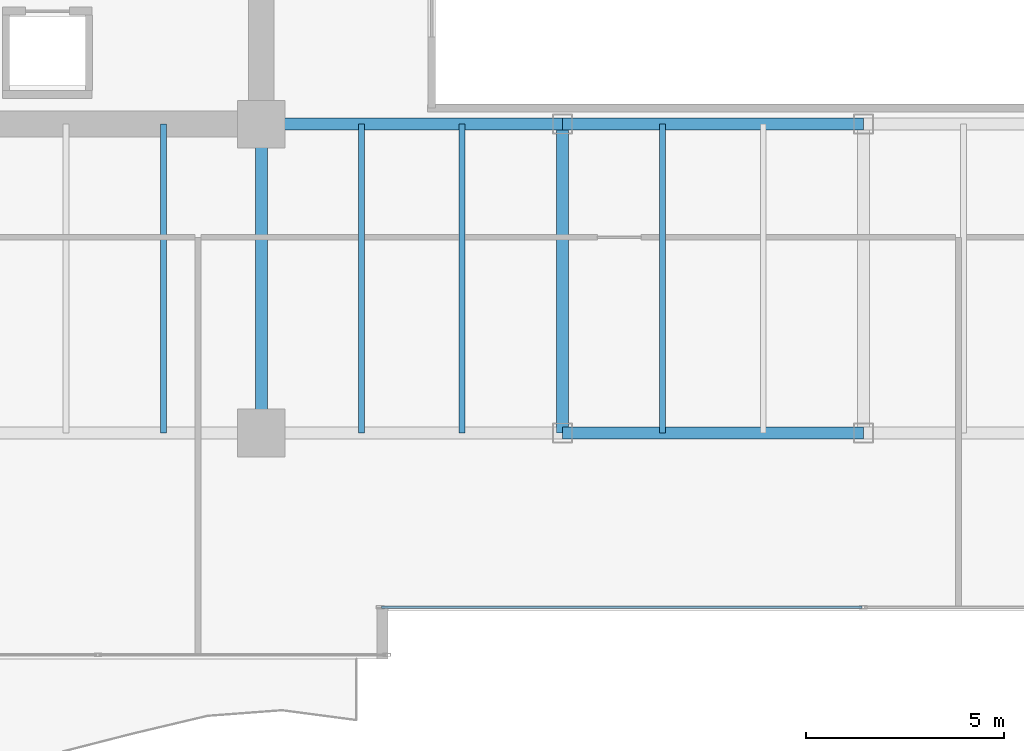
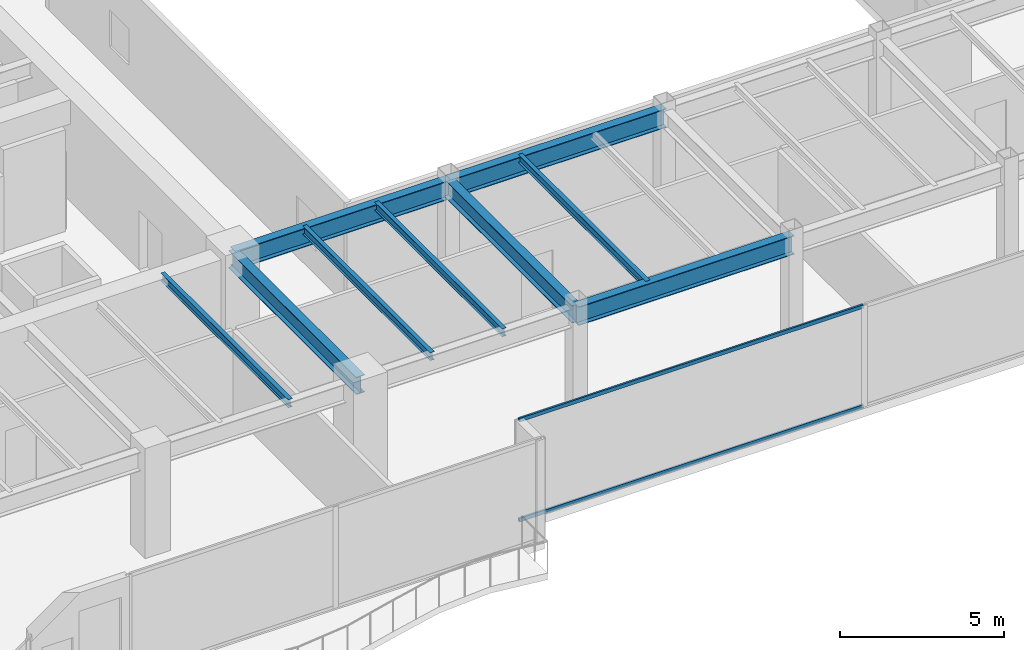
# One storey, part 5 of 30: 9 beams, 2 members, 1 element without a shape of its own.
"""IFC4 building model written with IfcOpenShell, lengths in metres."""

import ifcopenshell
import ifcopenshell.guid

model = None  # the IFC model being written
_history = None  # IfcOwnerHistory: only IFC2X3 demands one
_inside = {}  # id of a spatial element -> (the spatial element, [elements in it])
_under = {}  # id of a project, library or spatial element -> (it, [spatial elements below it])
_declared = {}  # id of a project -> (the project, [libraries it declares])
_typed = {}  # id of a type object -> (the type object, [elements of that type])
_made_of = {}  # id of a material, layer set ... -> (it, [elements and type objects made of it])


def new_model(schema):
    """Start an empty IFC model of exactly this schema.

    Asked for "IFC4X3", IfcOpenShell would pick the latest addendum, in which some entities
    have other attributes; the version numbers below select the first issue.
    IFC2X3 requires an IfcOwnerHistory on every rooted entity: one is made here for all.
    """
    global model, _history
    if schema == "IFC4X3":
        model = ifcopenshell.file(schema_version=(4, 3, 0, 0))
    else:
        model = ifcopenshell.file(schema=schema)
    _inside.clear()
    _under.clear()
    _declared.clear()
    _typed.clear()
    _made_of.clear()
    _history = None
    if model.schema == "IFC2X3":
        org = make("IfcOrganization", Name="unknown")
        user = make(
            "IfcPersonAndOrganization",
            ThePerson=make("IfcPerson", FamilyName="unknown"),
            TheOrganization=org,
        )
        app = make(
            "IfcApplication",
            ApplicationDeveloper=org,
            Version="unknown",
            ApplicationFullName="unknown",
            ApplicationIdentifier="unknown",
        )
        _history = make(
            "IfcOwnerHistory",
            OwningUser=user,
            OwningApplication=app,
            ChangeAction="ADDED",
            CreationDate=0,
        )
    return model


def make(cls, **values):
    """One entity of the class cls with the attributes given. An attribute that is None is left unset."""
    return model.create_entity(
        cls, **{name: value for name, value in values.items() if value is not None}
    )


def rooted(cls, **values):
    """An entity with a GlobalId (a new one), such as an element, a storey or a relation."""
    return make(cls, GlobalId=ifcopenshell.guid.new(), OwnerHistory=_history, **values)


def si_unit(unit_type, name, prefix=None):
    """IfcSIUnit, for example si_unit("LENGTHUNIT", "METRE", prefix="MILLI")."""
    return make("IfcSIUnit", UnitType=unit_type, Prefix=prefix, Name=name)


def assignment(units):
    """IfcUnitAssignment: the units of a project."""
    return None if units is None else make("IfcUnitAssignment", Units=units)


def point(xyz):
    """IfcCartesianPoint."""
    return None if xyz is None else make("IfcCartesianPoint", Coordinates=xyz)


def direction(xyz):
    """IfcDirection."""
    return None if xyz is None else make("IfcDirection", DirectionRatios=xyz)


def frame(location, z_axis=None, x_axis=None):
    """IfcAxis2Placement3D, a coordinate frame: its origin and axes. An axis left out is left unset."""
    return make(
        "IfcAxis2Placement3D",
        Location=point(location),
        Axis=direction(z_axis),
        RefDirection=direction(x_axis),
    )


def frame_2d(location, x_axis=None):
    """IfcAxis2Placement2D, a coordinate frame in the plane: its origin and x axis."""
    return make(
        "IfcAxis2Placement2D", Location=point(location), RefDirection=direction(x_axis)
    )


def origin():
    """The frame at (0, 0, 0) with its axes left unset."""
    return frame((0.0, 0.0, 0.0))


def origin_2d():
    """The frame at (0, 0) in the plane with its x axis left unset."""
    return frame_2d((0.0, 0.0))


def place(relative_to, where):
    """IfcLocalPlacement: puts the frame where relative to a parent placement (None: the world)."""
    return make(
        "IfcLocalPlacement", PlacementRelTo=relative_to, RelativePlacement=where
    )


def context(
    kind, dimensions, precision=None, world=None, true_north=None, identifier=None
):
    """IfcGeometricRepresentationContext, for example the 3D "Model" context."""
    return make(
        "IfcGeometricRepresentationContext",
        ContextIdentifier=identifier,
        ContextType=kind,
        CoordinateSpaceDimension=dimensions,
        Precision=precision,
        WorldCoordinateSystem=world,
        TrueNorth=true_north,
    )


def subcontext(parent, identifier, kind, view, scale=None):
    """IfcGeometricRepresentationSubContext, for example "Body" below "Model"."""
    return make(
        "IfcGeometricRepresentationSubContext",
        ContextIdentifier=identifier,
        ContextType=kind,
        ParentContext=parent,
        TargetScale=scale,
        TargetView=view,
    )


def project(units=None, contexts=None):
    """IfcProject with its units and contexts."""
    return rooted(
        "IfcProject",
        Name="project",
        RepresentationContexts=contexts,
        UnitsInContext=assignment(units),
    )


def spatial(cls, under=None, at=None, **own):
    """A site, building, storey or space (cls), placed at a placement, below another one or the project."""
    s = rooted(cls, ObjectPlacement=at, **own)
    if under is not None:
        _under.setdefault(under.id(), (under, []))[1].append(s)
    return s


def profile(cls, at=None, kind="AREA", **sizes):
    """A parametric profile (cls). Its sizes go by their IFC names, for example OverallWidth=200.0."""
    return make(cls, ProfileType=kind, Position=at, **sizes)


def hollow_rectangle(**sizes):
    """IfcRectangleHollowProfileDef."""
    return profile("IfcRectangleHollowProfileDef", **sizes)


def i_section(**sizes):
    """IfcIShapeProfileDef."""
    return profile("IfcIShapeProfileDef", **sizes)


def extrude(swept, where, along, depth):
    """IfcExtrudedAreaSolid: the profile swept, set in the frame where, extruded along a direction by depth."""
    return make(
        "IfcExtrudedAreaSolid",
        SweptArea=swept,
        Position=where,
        ExtrudedDirection=direction(along),
        Depth=depth,
    )


def shape(context_of_items, identifier, shape_type, items):
    """IfcShapeRepresentation: the items that make up one representation, for example the "Body"."""
    return make(
        "IfcShapeRepresentation",
        ContextOfItems=context_of_items,
        RepresentationIdentifier=identifier,
        RepresentationType=shape_type,
        Items=items,
    )


def source(mapping_origin, context_of_items, identifier, shape_type, items):
    """IfcRepresentationMap: a shape defined once, which mapped items show again and again."""
    return make(
        "IfcRepresentationMap",
        MappingOrigin=mapping_origin,
        MappedRepresentation=shape(context_of_items, identifier, shape_type, items),
    )


def transform(
    local_origin,
    x_axis=None,
    y_axis=None,
    z_axis=None,
    scale=None,
    scale2=None,
    scale3=None,
    uniform=True,
):
    """IfcCartesianTransformationOperator3D, or its non-uniform kind. x_axis, y_axis, z_axis: its Axis1, 2, 3."""
    if uniform:
        return make(
            "IfcCartesianTransformationOperator3D",
            Axis1=direction(x_axis),
            Axis2=direction(y_axis),
            LocalOrigin=point(local_origin),
            Scale=scale,
            Axis3=direction(z_axis),
        )
    return make(
        "IfcCartesianTransformationOperator3DnonUniform",
        Axis1=direction(x_axis),
        Axis2=direction(y_axis),
        LocalOrigin=point(local_origin),
        Scale=scale,
        Axis3=direction(z_axis),
        Scale2=scale2,
        Scale3=scale3,
    )


def mapped(mapping_source, mapping_target):
    """IfcMappedItem: shows the shape of a source again, moved by a transform."""
    return make(
        "IfcMappedItem", MappingSource=mapping_source, MappingTarget=mapping_target
    )


def material(Name=None, Category=None):
    """IfcMaterial."""
    return make("IfcMaterial", Name=Name, Category=Category)


def layer(
    of_material, thickness, ventilated=None, Name=None, Category=None, Priority=None
):
    """IfcMaterialLayer: one layer of a wall or slab, of a material (None: an air gap)."""
    return make(
        "IfcMaterialLayer",
        Material=of_material,
        LayerThickness=thickness,
        IsVentilated=ventilated,
        Name=Name,
        Category=Category,
        Priority=Priority,
    )


def layer_set(layers, Name=None):
    """IfcMaterialLayerSet."""
    return make("IfcMaterialLayerSet", MaterialLayers=layers, LayerSetName=Name)


def material_profile(
    of_material, cross_section, Name=None, Category=None, Priority=None
):
    """IfcMaterialProfile: a cross section and its material."""
    return make(
        "IfcMaterialProfile",
        Name=Name,
        Material=of_material,
        Profile=cross_section,
        Priority=Priority,
        Category=Category,
    )


def profile_set(profiles, Name=None, composite=None):
    """IfcMaterialProfileSet."""
    return make(
        "IfcMaterialProfileSet",
        Name=Name,
        MaterialProfiles=profiles,
        CompositeProfile=composite,
    )


def made_of(thing, what):
    """Note that an element or type object is made of a material, layer set ...; save() writes the relation."""
    if what is not None:
        _made_of.setdefault(what.id(), (what, []))[1].append(thing)
    return thing


def type_object(cls, material=None, **own):
    """A type object (cls), such as IfcWallType, which elements share."""
    return made_of(rooted(cls, **own), material)


def type_shapes(of_type, sources):
    """Give a type object the sources (RepresentationMaps) that its elements show as mapped items."""
    of_type.RepresentationMaps = sources


def element(
    cls,
    number,
    at=None,
    inside=None,
    cuts=None,
    type_object=None,
    material=None,
    context=None,
    identifier="Body",
    shape_type=None,
    held_by="IfcProductDefinitionShape",
    body=None,
    shapes=None,
    **own,
):
    """One element of the class cls, such as IfcWall. Its Tag is "e" and its number.

    at: its placement. inside: the storey or other place that contains it. cuts: it is an
    opening in that element (IfcRelVoidsElement). A single representation is given by context,
    identifier, shape_type and body (its items); several are given by shapes. held_by: the class
    of the entity that holds the representations. save() writes the other relations.
    """
    e = rooted(cls, Tag="e%d" % number, ObjectPlacement=at, **own)
    if body is not None:
        shapes = [shape(context, identifier, shape_type, body)]
    if shapes is not None:
        e.Representation = make(held_by, Representations=shapes)
    if inside is not None:
        _inside.setdefault(inside.id(), (inside, []))[1].append(e)
    if cuts is not None:
        rooted(
            "IfcRelVoidsElement", RelatingBuildingElement=cuts, RelatedOpeningElement=e
        )
    if type_object is not None:
        _typed.setdefault(type_object.id(), (type_object, []))[1].append(e)
    return made_of(e, material)


def aggregate(whole, parts):
    """IfcRelAggregates: a whole, such as a stair, and the parts it consists of."""
    return rooted("IfcRelAggregates", RelatingObject=whole, RelatedObjects=parts)


def save(model, path):
    """Write the relations noted so far, then the file.

    IfcRelAggregates (storeys below a building ...), IfcRelContainedInSpatialStructure (elements
    in a storey), IfcRelDefinesByType, IfcRelAssociatesMaterial and IfcRelDeclares: one each for
    every whole, place, type object, material and project.
    """
    for whole, parts in _under.values():
        aggregate(whole, parts)
    for where, things in _inside.values():
        rooted(
            "IfcRelContainedInSpatialStructure",
            RelatedElements=things,
            RelatingStructure=where,
        )
    for kind, things in _typed.values():
        rooted("IfcRelDefinesByType", RelatedObjects=things, RelatingType=kind)
    for what, things in _made_of.values():
        rooted("IfcRelAssociatesMaterial", RelatedObjects=things, RelatingMaterial=what)
    for by, libraries in _declared.values():
        rooted("IfcRelDeclares", RelatingContext=by, RelatedDefinitions=libraries)
    model.write(path)


model = new_model("IFC4")

# Units and contexts
model_context = context("Model", 3, precision=1e-05, world=origin(), true_north=direction((0.0, 1.0)))
body_context = subcontext(model_context, "Body", "Model", "MODEL_VIEW")
ifc_project = project(units=[si_unit("LENGTHUNIT", "METRE"), si_unit("AREAUNIT", "SQUARE_METRE"), si_unit("VOLUMEUNIT", "CUBIC_METRE"), si_unit("PLANEANGLEUNIT", "RADIAN"), si_unit("MASSUNIT", "GRAM", prefix="KILO")], contexts=[model_context])

# Site, building, storey
site_placement = place(None, origin())
site = spatial("IfcSite", under=ifc_project, at=site_placement, CompositionType="ELEMENT")
building_placement = place(site_placement, origin())
building = spatial("IfcBuilding", under=site, at=building_placement, Name="Haelvirn Gate Laboratories", CompositionType="ELEMENT")
storey_placement = place(building_placement, frame((0.0, 0.0, 113.300048828125)))
storey = spatial("IfcBuildingStorey", under=building, at=storey_placement, Name="L27", CompositionType="ELEMENT", Elevation=113.300048828125)

# Beams
ifc_material_1 = material(Name="Steel SM355", Category="steel")
ifc_material_profile_1 = material_profile(ifc_material_1, i_section(OverallWidth=0.300048828125, OverallDepth=0.64990234375, WebThickness=0.012939453125, FlangeThickness=0.02197265625, at=origin_2d()), Name="H-650x300x13x22")
ifc_profile_set_1 = profile_set([ifc_material_profile_1], Name="Steel SM355")
beam_type_1 = type_object("IfcBeamType", Name="BM-G-650", PredefinedType="BEAM", material=ifc_profile_set_1)
shared_shape_1 = source(origin(), body_context, "Body", "SweptSolid", [
    extrude(i_section(OverallWidth=0.300048828125, OverallDepth=0.64990234375, WebThickness=0.012939453125, FlangeThickness=0.02197265625, at=origin_2d()), origin(), (0.0, 0.0, 1.0), 7.800048828125),
])
type_shapes(beam_type_1, [shared_shape_1])
for number, where, z_axis, x_axis, name in (
    (1, (22.199951171875, 7.0, 3.46484375), (0.0, 1.0, 0.0), (-1.0, 0.0, 0.0), "L27 Frame Girder X22.2 (7.0-14.8)"),
    (2, (29.800048828125, 7.0, 3.46484375), (0.0, 1.0, 0.0), (-1.0, 0.0, 0.0), "L27 Frame Girder X29.8 (7.0-14.8)"),
):
    element("IfcBeam", number, at=place(storey_placement, frame(where, z_axis=z_axis, x_axis=x_axis)), inside=storey, type_object=beam_type_1, Name=name, PredefinedType="BEAM", context=body_context, shape_type="MappedRepresentation", body=[
        mapped(shared_shape_1, transform((0.0, 0.0, 0.0), scale=1.0)),
    ])
ifc_material_profile_2 = material_profile(ifc_material_1, i_section(OverallWidth=0.300048828125, OverallDepth=0.699951171875, WebThickness=0.012939453125, FlangeThickness=0.02392578125, at=origin_2d()), Name="H-700x300x13x24")
ifc_profile_set_2 = profile_set([ifc_material_profile_2], Name="Steel SM355")
beam_type_2 = type_object("IfcBeamType", Name="BM-G-700", PredefinedType="BEAM", material=ifc_profile_set_2)
shared_shape_2 = source(origin(), body_context, "Body", "SweptSolid", [
    extrude(i_section(OverallWidth=0.300048828125, OverallDepth=0.699951171875, WebThickness=0.012939453125, FlangeThickness=0.02392578125, at=origin_2d()), origin(), (0.0, 0.0, 1.0), 7.60009765625),
])
beam_placement = place(storey_placement, frame((22.199951171875, 14.800048828125, 3.43994140625), z_axis=(1.0, 0.0, 0.0), x_axis=(0.0, 1.0, 0.0)))
element("IfcBeam", 3, at=beam_placement, inside=storey, type_object=beam_type_2, Name="L27 Primary Girder Y14.8 (22.2-29.8)", PredefinedType="BEAM", context=body_context, shape_type="MappedRepresentation", body=[
    mapped(shared_shape_2, transform((0.0, 0.0, 0.0), scale=1.0)),
])
shared_shape_3 = source(origin(), body_context, "Body", "SweptSolid", [
    extrude(i_section(OverallWidth=0.300048828125, OverallDepth=0.699951171875, WebThickness=0.012939453125, FlangeThickness=0.02392578125, at=origin_2d()), origin(), (0.0, 0.0, 1.0), 7.599853515625),
])
type_shapes(beam_type_2, [shared_shape_2, shared_shape_3])
for number, where, z_axis, x_axis, name in (
    (4, (29.800048828125, 7.0, 3.43994140625), (1.0, 0.0, 0.0), (0.0, 1.0, 0.0), "L27 Primary Girder Y7.0 (29.8-37.4)"),
    (5, (29.800048828125, 14.800048828125, 3.43994140625), (1.0, 0.0, 0.0), (0.0, 1.0, 0.0), "L27 Primary Girder Y14.8 (29.8-37.4)"),
):
    element("IfcBeam", number, at=place(storey_placement, frame(where, z_axis=z_axis, x_axis=x_axis)), inside=storey, type_object=beam_type_2, Name=name, PredefinedType="BEAM", context=body_context, shape_type="MappedRepresentation", body=[
        mapped(shared_shape_3, transform((0.0, 0.0, 0.0), scale=1.0)),
    ])
ifc_material_profile_3 = material_profile(ifc_material_1, i_section(OverallWidth=0.14990234375, OverallDepth=0.300048828125, WebThickness=0.006591796875, FlangeThickness=0.009033203125, at=origin_2d()), Name="H-300x150x6.5x9")
ifc_profile_set_3 = profile_set([ifc_material_profile_3], Name="Steel SM355")
beam_type_3 = type_object("IfcBeamType", Name="BM-J-300", PredefinedType="JOIST", material=ifc_profile_set_3)
shared_shape_4 = source(origin(), body_context, "Body", "SweptSolid", [
    extrude(i_section(OverallWidth=0.14990234375, OverallDepth=0.300048828125, WebThickness=0.006591796875, FlangeThickness=0.009033203125, at=origin_2d()), origin(), (0.0, 0.0, 1.0), 7.800048828125),
])
type_shapes(beam_type_3, [shared_shape_4])
for number, where, z_axis, x_axis, name in (
    (6, (19.72998046875, 7.0, 3.639892578125), (0.0, 1.0, 0.0), (-1.0, 0.0, 0.0), "L27 Composite Lab Joist South X19.73"),
    (7, (24.72998046875, 7.0, 3.639892578125), (0.0, 1.0, 0.0), (-1.0, 0.0, 0.0), "L27 Composite Lab Joist South X24.73"),
    (8, (27.27001953125, 7.0, 3.639892578125), (0.0, 1.0, 0.0), (-1.0, 0.0, 0.0), "L27 Composite Lab Joist South X27.27"),
    (9, (32.330078125, 7.0, 3.639892578125), (0.0, 1.0, 0.0), (-1.0, 0.0, 0.0), "L27 Composite Lab Joist South X32.33"),
):
    element("IfcBeam", number, at=place(storey_placement, frame(where, z_axis=z_axis, x_axis=x_axis)), inside=storey, type_object=beam_type_3, Name=name, PredefinedType="JOIST", context=body_context, shape_type="MappedRepresentation", body=[
        mapped(shared_shape_4, transform((0.0, 0.0, 0.0), scale=1.0)),
    ])

# Curtain wall, members
ifc_material_2 = material(Name="Anodised bronze unitised aluminium & triple low-E glass", Category="aluminium")
ifc_layer = layer(ifc_material_2, 0.179931640625, Name="CW-SYS-3")
ifc_layer_set = layer_set([ifc_layer], Name="Anodised bronze unitised aluminium & triple low-E glass")
curtain_wall_type = type_object("IfcCurtainWallType", Name="CW-SYS-3", PredefinedType="NOTDEFINED", material=ifc_layer_set)
curtain_wall_placement = place(storey_placement, origin())
curtain_wall = element("IfcCurtainWall", 10, at=curtain_wall_placement, inside=storey, type_object=curtain_wall_type, Name="L27 Unitised Curtain Wall CW-L27-P0-E02-1", PredefinedType="NOTDEFINED")
ifc_material_3 = material(Name="Extruded aluminium 6063-T6 (anodised bronze)", Category="aluminium")
ifc_material_profile_4 = material_profile(ifc_material_3, hollow_rectangle(XDim=0.06494140625, YDim=0.139892578125, WallThickness=0.00390625, at=origin_2d()), Name="CWT-140x65x4")
ifc_profile_set_4 = profile_set([ifc_material_profile_4], Name="Extruded aluminium 6063-T6 (anodised bronze)")
member_type = type_object("IfcMemberType", Name="CWT-T140", PredefinedType="USERDEFINED", material=ifc_profile_set_4)
shared_shape_5 = source(origin(), body_context, "Body", "SweptSolid", [
    extrude(hollow_rectangle(XDim=0.06494140625, YDim=0.139892578125, WallThickness=0.00390625, at=origin_2d()), origin(), (0.0, 0.0, 1.0), 12.12744140625),
])
type_shapes(member_type, [shared_shape_5])
member_1_placement = place(storey_placement, frame((25.235107421875, 2.60009765625, 0.032470703125), z_axis=(1.0, 0.0, 0.0), x_axis=(0.0, 1.0, 0.0)))
member_1 = element("IfcMember", 11, at=member_1_placement, type_object=member_type, Name="CW3 transom 1.1", ObjectType="TRANSOM", PredefinedType="USERDEFINED", context=body_context, shape_type="MappedRepresentation", body=[
    mapped(shared_shape_5, transform((0.0, 0.0, 0.0), scale=1.0)),
])
member_2_placement = place(storey_placement, frame((25.235107421875, 2.60009765625, 3.757568359375), z_axis=(1.0, 0.0, 0.0), x_axis=(0.0, 1.0, 0.0)))
member_2 = element("IfcMember", 12, at=member_2_placement, type_object=member_type, Name="CW3 transom 1.2", ObjectType="TRANSOM", PredefinedType="USERDEFINED", context=body_context, shape_type="MappedRepresentation", body=[
    mapped(shared_shape_5, transform((0.0, 0.0, 0.0), scale=1.0)),
])
aggregate(curtain_wall, [member_1, member_2])

save(model, "model.ifc")
